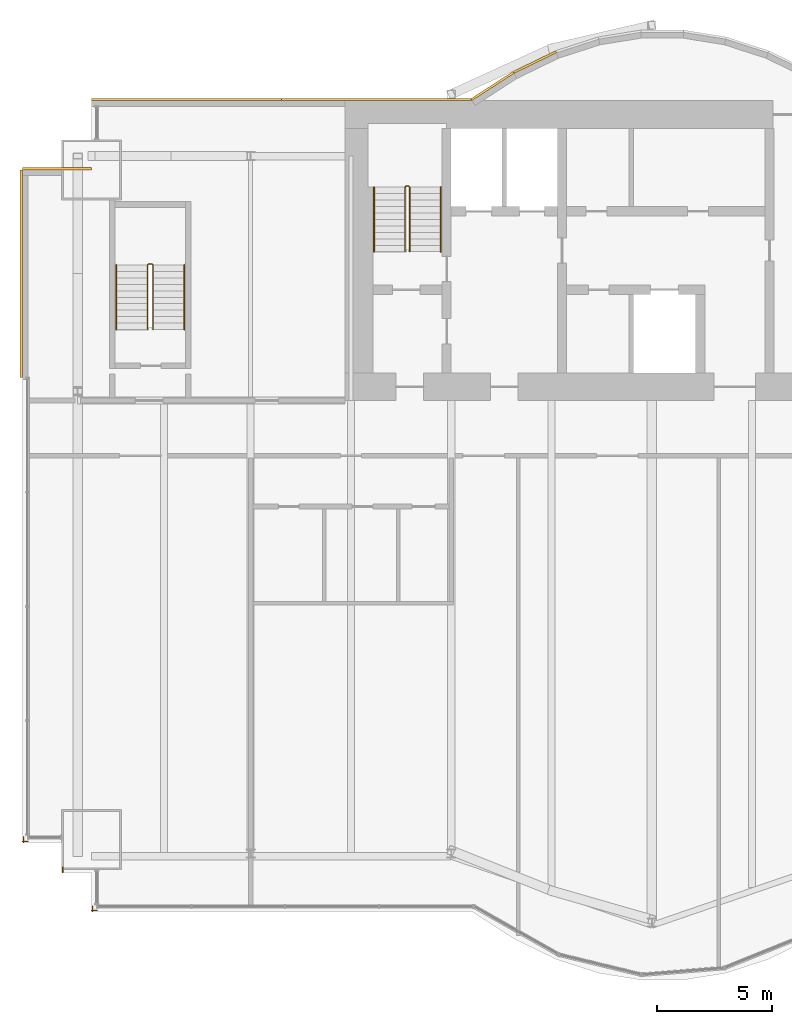
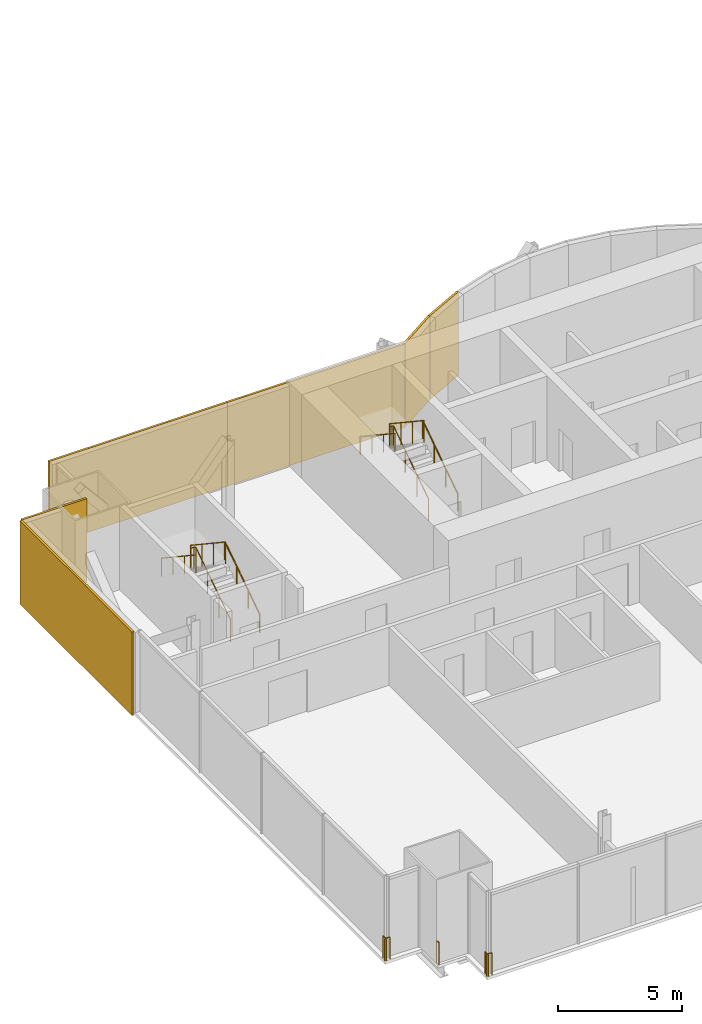
# One storey, part 19 of 21: 9 railings, 6 coverings.
"""IFC4 building model written with IfcOpenShell, lengths in metres."""

from ifc_helpers import new_model, si_unit, direction, frame, origin, origin_2d, place, context, subcontext, project, spatial, rectangle, circle, extrude, material, layer, layer_set, type_object, element, save


model = new_model("IFC4")

# Units and contexts
model_context = context("Model", 3, precision=1e-05, world=origin(), true_north=direction((0.0, 1.0)))
body_context = subcontext(model_context, "Body", "Model", "MODEL_VIEW")
ifc_project = project(units=[si_unit("LENGTHUNIT", "METRE"), si_unit("AREAUNIT", "SQUARE_METRE"), si_unit("VOLUMEUNIT", "CUBIC_METRE"), si_unit("PLANEANGLEUNIT", "RADIAN"), si_unit("MASSUNIT", "GRAM", prefix="KILO")], contexts=[model_context])

# Site, building, storey
site_placement = place(None, origin())
site = spatial("IfcSite", under=ifc_project, at=site_placement, CompositionType="ELEMENT")
building_placement = place(site_placement, origin())
building = spatial("IfcBuilding", under=site, at=building_placement, Name="Bicima Exchange Tower", CompositionType="ELEMENT")
storey_placement = place(building_placement, frame((0.0, 0.0, 156.800048828125)))
storey = spatial("IfcBuildingStorey", under=building, at=storey_placement, Name="L34", CompositionType="ELEMENT", Elevation=156.800048828125)

# Coverings
ifc_material_1 = material(Name="Bronze metal cladding")
ifc_layer_1 = layer(ifc_material_1, 0.004)
ifc_material_2 = material(Name="Ventilated cavity")
ifc_layer_2 = layer(ifc_material_2, 0.06)
ifc_material_3 = material(Name="Galvanised steel rail and mineral wool", Category="steel")
ifc_layer_3 = layer(ifc_material_3, 0.036)
ifc_layer_set = layer_set([ifc_layer_1, ifc_layer_2, ifc_layer_3], Name="Ventilated cavity")
covering_type = type_object("IfcCoveringType", Name="Bronze metal cladding panel 100", PredefinedType="CLADDING", material=ifc_layer_set)
covering_1_placement = place(storey_placement, frame((-13.771728515625, 1.674560546875, -0.150146484375), z_axis=(0.0, 0.0, 1.0), x_axis=(-0.899818346812, -0.436264762204, 0.0)))
element("IfcCovering", 1, at=covering_1_placement, inside=storey, type_object=covering_type, Name="Bronze cladding L34 18.1", PredefinedType="CLADDING", context=body_context, shape_type="SweptSolid", body=[
    extrude(rectangle(XDim=2.03759765625, YDim=0.10009765625, at=origin_2d()), origin(), (0.0, 0.0, 1.0), 4.10009765625),
])
covering_2_placement = place(storey_placement, frame((-15.610595703125, 0.634521484375, -0.150146484375), z_axis=(0.0, 0.0, 1.0), x_axis=(-0.839790466384, -0.542910648791, 0.0)))
element("IfcCovering", 2, at=covering_2_placement, inside=storey, type_object=covering_type, Name="Bronze cladding L34 19.1", PredefinedType="CLADDING", context=body_context, shape_type="SweptSolid", body=[
    extrude(rectangle(XDim=2.18310546875, YDim=0.10009765625, at=origin_2d()), origin(), (0.0, 0.0, 1.0), 4.10009765625),
])
for number, where, z_axis, x_axis, name in (
    (3, (-20.625, 0.050048828125, -0.150146484375), (0.0, 0.0, 1.0), (-1.0, 0.0, 0.0), "Bronze cladding L34 20.1"),
    (4, (-28.875, 0.050048828125, -0.150146484375), (0.0, 0.0, 1.0), (-1.0, 0.0, 0.0), "Bronze cladding L34 20.2"),
):
    element("IfcCovering", number, at=place(storey_placement, frame(where, z_axis=z_axis, x_axis=x_axis)), inside=storey, type_object=covering_type, Name=name, PredefinedType="CLADDING", context=body_context, shape_type="SweptSolid", body=[
        extrude(rectangle(XDim=8.25, YDim=0.10009765625, at=origin_2d()), origin(), (0.0, 0.0, 1.0), 4.10009765625),
    ])
covering_3_placement = place(storey_placement, frame((-34.5, -2.949951171875, -0.150146484375), z_axis=(0.0, 0.0, 1.0), x_axis=(-1.0, 0.0, 0.0)))
element("IfcCovering", 5, at=covering_3_placement, inside=storey, type_object=covering_type, Name="Bronze cladding L34 22.1", PredefinedType="CLADDING", context=body_context, shape_type="SweptSolid", body=[
    extrude(rectangle(XDim=3.0, YDim=0.10009765625, at=origin_2d()), origin(), (0.0, 0.0, 1.0), 4.10009765625),
])
covering_4_placement = place(storey_placement, frame((-36.050048828125, -7.5, -0.150146484375), z_axis=(0.0, 0.0, 1.0), x_axis=(0.0, -1.0, 0.0)))
element("IfcCovering", 6, at=covering_4_placement, inside=storey, type_object=covering_type, Name="Bronze cladding L34 23.1", PredefinedType="CLADDING", context=body_context, shape_type="SweptSolid", body=[
    extrude(rectangle(XDim=9.0, YDim=0.10009765625, at=origin_2d()), origin(), (0.0, 0.0, 1.0), 4.10009765625),
])

# Railings
ifc_material_4 = material(Name="Stainless steel and bonded safety glass", Category="steel")
railing_type_1 = type_object("IfcRailingType", Name="Edge guard 1100", PredefinedType="GUARDRAIL", material=ifc_material_4)
railing_1_placement = place(storey_placement, frame((-35.757080078125, -32.117919921875, 0.0)))
element("IfcRailing", 7, at=railing_1_placement, inside=storey, type_object=railing_type_1, Name="Edge guard L34 167", PredefinedType="GUARDRAIL", context=body_context, shape_type="SweptSolid", body=[
    extrude(circle(Radius=0.02392578125, at=origin_2d()), frame((0.0, 0.0, 1.076171875), z_axis=(-1.0, 0.0, 0.0), x_axis=(0.0, -1.0, 0.0)), (0.0, 0.0, 1.0), 0.242919921875),
    extrude(circle(Radius=0.02392578125, at=origin_2d()), frame((-0.242919921875, 0.0, 1.076171875), z_axis=(0.707106781187, -0.707106781187, 0.0), x_axis=(0.707106781187, 0.707106781187, 0.0)), (0.0, 0.0, 1.0), 0.07080078125),
    extrude(circle(Radius=0.02392578125, at=origin_2d()), frame((-0.19287109375, -0.050048828125, 1.076171875), z_axis=(0.0, 1.0, 0.0), x_axis=(-1.0, 0.0, 0.0)), (0.0, 0.0, 1.0), 0.2490234375),
    extrude(circle(Radius=0.02099609375, at=origin_2d()), origin(), (0.0, 0.0, 1.0), 1.052001953125),
    extrude(circle(Radius=0.02099609375, at=origin_2d()), frame((-0.242919921875, 0.0, 0.0)), (0.0, 0.0, 1.0), 1.052001953125),
    extrude(circle(Radius=0.02099609375, at=origin_2d()), frame((-0.19287109375, -0.050048828125, 0.0)), (0.0, 0.0, 1.0), 1.052001953125),
    extrude(circle(Radius=0.02099609375, at=origin_2d()), frame((-0.19287109375, 0.198974609375, 0.0)), (0.0, 0.0, 1.0), 1.052001953125),
])
railing_2_placement = place(storey_placement, frame((-32.75, -35.117919921875, 0.0)))
element("IfcRailing", 8, at=railing_2_placement, inside=storey, type_object=railing_type_1, Name="Edge guard L34 171", PredefinedType="GUARDRAIL", context=body_context, shape_type="SweptSolid", body=[
    extrude(circle(Radius=0.02392578125, at=origin_2d()), frame((0.0, 0.0, 1.076171875), z_axis=(-1.0, 0.0, 0.0), x_axis=(0.0, -1.0, 0.0)), (0.0, 0.0, 1.0), 0.25),
    extrude(circle(Radius=0.02392578125, at=origin_2d()), frame((-0.25, 0.0, 1.076171875), z_axis=(0.707106781187, -0.707106781187, 0.0), x_axis=(0.707106781187, 0.707106781187, 0.0)), (0.0, 0.0, 1.0), 0.07080078125),
    extrude(circle(Radius=0.02392578125, at=origin_2d()), frame((-0.199951171875, -0.050048828125, 1.076171875), z_axis=(0.0, 1.0, 0.0), x_axis=(-1.0, 0.0, 0.0)), (0.0, 0.0, 1.0), 0.242919921875),
    extrude(circle(Radius=0.02099609375, at=origin_2d()), origin(), (0.0, 0.0, 1.0), 1.052001953125),
    extrude(circle(Radius=0.02099609375, at=origin_2d()), frame((-0.25, 0.0, 0.0)), (0.0, 0.0, 1.0), 1.052001953125),
    extrude(circle(Radius=0.02099609375, at=origin_2d()), frame((-0.199951171875, -0.050048828125, 0.0)), (0.0, 0.0, 1.0), 1.052001953125),
    extrude(circle(Radius=0.02099609375, at=origin_2d()), frame((-0.199951171875, 0.19287109375, 0.0)), (0.0, 0.0, 1.0), 1.052001953125),
])
railing_3_placement = place(storey_placement, frame((-34.25, -33.468017578125, 0.0)))
element("IfcRailing", 9, at=railing_3_placement, inside=storey, type_object=railing_type_1, Name="Edge guard L34 172", PredefinedType="GUARDRAIL", context=body_context, shape_type="SweptSolid", body=[
    extrude(circle(Radius=0.02392578125, at=origin_2d()), frame((0.0, 0.0, 1.076171875), z_axis=(0.0, 1.0, 0.0), x_axis=(-1.0, 0.0, 0.0)), (0.0, 0.0, 1.0), 0.217041015625),
    extrude(circle(Radius=0.02099609375, at=origin_2d()), origin(), (0.0, 0.0, 1.0), 1.052001953125),
    extrude(circle(Radius=0.02099609375, at=origin_2d()), frame((0.0, 0.217041015625, 0.0)), (0.0, 0.0, 1.0), 1.052001953125),
])
ifc_material_5 = material(Name="Stainless steel", Category="steel")
railing_type_2 = type_object("IfcRailingType", Name="Stair guard 1100", PredefinedType="GUARDRAIL", material=ifc_material_5)
railing_4_placement = place(storey_placement, frame((-19.199951171875, -6.550048828125, 0.186279296875)))
element("IfcRailing", 10, at=railing_4_placement, inside=storey, type_object=railing_type_2, Name="L34 ST-W stair guard 1", PredefinedType="GUARDRAIL", context=body_context, shape_type="SweptSolid", body=[
    extrude(circle(Radius=0.02392578125, at=origin_2d()), frame((0.0, 0.0, 1.076171875), z_axis=(0.0, 0.832452072856, 0.554097055034), x_axis=(-1.0, 0.0, 0.0)), (0.0, 0.0, 1.0), 3.363525390625),
    extrude(circle(Radius=0.02392578125, at=origin_2d()), frame((0.0, 2.800048828125, 2.93994140625), z_axis=(-0.707106781187, 0.707106781187, 0.0), x_axis=(-0.707106781187, -0.707106781187, 0.0)), (0.0, 0.0, 1.0), 0.07080078125),
    extrude(circle(Radius=0.02392578125, at=origin_2d()), frame((-0.050048828125, 2.85009765625, 2.93994140625), z_axis=(-1.0, 0.0, 0.0), x_axis=(0.0, -1.0, 0.0)), (0.0, 0.0, 1.0), 0.10009765625),
    extrude(circle(Radius=0.02392578125, at=origin_2d()), frame((-0.150146484375, 2.85009765625, 2.93994140625), z_axis=(-0.250008635948, -0.251234168477, 0.935081319748), x_axis=(0.708833529934, -0.705375805398, 0.0)), (0.0, 0.0, 1.0), 0.19921875),
    extrude(circle(Radius=0.02392578125, at=origin_2d()), frame((-0.199951171875, 2.800048828125, 3.1259765625), z_axis=(0.0, -0.832485552168, 0.554046753832), x_axis=(1.0, 0.0, 0.0)), (0.0, 0.0, 1.0), 3.363525390625),
    extrude(circle(Radius=0.02099609375, at=origin_2d()), origin(), (0.0, 0.0, 1.0), 1.052001953125),
    extrude(circle(Radius=0.02099609375, at=origin_2d()), frame((0.0, 0.933349609375, 0.621337890625)), (0.0, 0.0, 1.0), 1.052001953125),
    extrude(circle(Radius=0.02099609375, at=origin_2d()), frame((0.0, 1.86669921875, 1.242431640625)), (0.0, 0.0, 1.0), 1.052001953125),
    extrude(circle(Radius=0.02099609375, at=origin_2d()), frame((0.0, 2.800048828125, 1.86376953125)), (0.0, 0.0, 1.0), 1.052001953125),
    extrude(circle(Radius=0.02099609375, at=origin_2d()), frame((-0.050048828125, 2.85009765625, 1.86376953125)), (0.0, 0.0, 1.0), 1.052001953125),
    extrude(circle(Radius=0.02099609375, at=origin_2d()), frame((-0.150146484375, 2.85009765625, 1.86376953125)), (0.0, 0.0, 1.0), 1.052001953125),
    extrude(circle(Radius=0.02099609375, at=origin_2d()), frame((-0.199951171875, 2.800048828125, 2.050048828125)), (0.0, 0.0, 1.0), 1.052001953125),
    extrude(circle(Radius=0.02099609375, at=origin_2d()), frame((-0.199951171875, 1.86669921875, 2.671142578125)), (0.0, 0.0, 1.0), 1.052001953125),
    extrude(circle(Radius=0.02099609375, at=origin_2d()), frame((-0.199951171875, 0.933349609375, 3.29248046875)), (0.0, 0.0, 1.0), 1.052001953125),
    extrude(circle(Radius=0.02099609375, at=origin_2d()), frame((-0.199951171875, 0.0, 3.91357421875)), (0.0, 0.0, 1.0), 1.052001953125),
])
railing_5_placement = place(storey_placement, frame((-30.324951171875, -9.925048828125, 0.186279296875)))
element("IfcRailing", 11, at=railing_5_placement, inside=storey, type_object=railing_type_2, Name="L34 ST-WW stair guard 1", PredefinedType="GUARDRAIL", context=body_context, shape_type="SweptSolid", body=[
    extrude(circle(Radius=0.02392578125, at=origin_2d()), frame((0.0, 0.0, 1.076171875), z_axis=(0.0, 0.832452072856, 0.554097055034), x_axis=(-1.0, 0.0, 0.0)), (0.0, 0.0, 1.0), 3.363525390625),
    extrude(circle(Radius=0.02392578125, at=origin_2d()), frame((0.0, 2.800048828125, 2.93994140625), z_axis=(-0.707106781187, 0.707106781187, 0.0), x_axis=(-0.707106781187, -0.707106781187, 0.0)), (0.0, 0.0, 1.0), 0.07080078125),
    extrude(circle(Radius=0.02392578125, at=origin_2d()), frame((-0.050048828125, 2.85009765625, 2.93994140625), z_axis=(-1.0, 0.0, 0.0), x_axis=(0.0, -1.0, 0.0)), (0.0, 0.0, 1.0), 0.14990234375),
    extrude(circle(Radius=0.02392578125, at=origin_2d()), frame((-0.199951171875, 2.85009765625, 2.93994140625), z_axis=(-0.251157038772, -0.251157038772, 0.934794246747), x_axis=(0.707106781187, -0.707106781187, 0.0)), (0.0, 0.0, 1.0), 0.19921875),
    extrude(circle(Radius=0.02392578125, at=origin_2d()), frame((-0.25, 2.800048828125, 3.1259765625), z_axis=(0.0, -0.832485552168, 0.554046753832), x_axis=(1.0, 0.0, 0.0)), (0.0, 0.0, 1.0), 3.363525390625),
    extrude(circle(Radius=0.02099609375, at=origin_2d()), origin(), (0.0, 0.0, 1.0), 1.052001953125),
    extrude(circle(Radius=0.02099609375, at=origin_2d()), frame((0.0, 0.933349609375, 0.621337890625)), (0.0, 0.0, 1.0), 1.052001953125),
    extrude(circle(Radius=0.02099609375, at=origin_2d()), frame((0.0, 1.86669921875, 1.242431640625)), (0.0, 0.0, 1.0), 1.052001953125),
    extrude(circle(Radius=0.02099609375, at=origin_2d()), frame((0.0, 2.800048828125, 1.86376953125)), (0.0, 0.0, 1.0), 1.052001953125),
    extrude(circle(Radius=0.02099609375, at=origin_2d()), frame((-0.050048828125, 2.85009765625, 1.86376953125)), (0.0, 0.0, 1.0), 1.052001953125),
    extrude(circle(Radius=0.02099609375, at=origin_2d()), frame((-0.199951171875, 2.85009765625, 1.86376953125)), (0.0, 0.0, 1.0), 1.052001953125),
    extrude(circle(Radius=0.02099609375, at=origin_2d()), frame((-0.25, 2.800048828125, 2.050048828125)), (0.0, 0.0, 1.0), 1.052001953125),
    extrude(circle(Radius=0.02099609375, at=origin_2d()), frame((-0.25, 1.86669921875, 2.671142578125)), (0.0, 0.0, 1.0), 1.052001953125),
    extrude(circle(Radius=0.02099609375, at=origin_2d()), frame((-0.25, 0.933349609375, 3.29248046875)), (0.0, 0.0, 1.0), 1.052001953125),
    extrude(circle(Radius=0.02099609375, at=origin_2d()), frame((-0.25, 0.0, 3.91357421875)), (0.0, 0.0, 1.0), 1.052001953125),
])
railing_type_3 = type_object("IfcRailingType", Name="Stair handrail 900", PredefinedType="HANDRAIL", material=ifc_material_5)
railing_6_placement = place(storey_placement, frame((-17.85009765625, -6.550048828125, 0.186279296875)))
element("IfcRailing", 12, at=railing_6_placement, inside=storey, type_object=railing_type_3, Name="L34 ST-W stair handrail 1", PredefinedType="HANDRAIL", context=body_context, shape_type="SweptSolid", body=[
    extrude(circle(Radius=0.02392578125, at=origin_2d()), frame((0.0, 0.0, 0.8759765625), z_axis=(0.0, 0.832452072856, 0.554097055034), x_axis=(-1.0, 0.0, 0.0)), (0.0, 0.0, 1.0), 3.363525390625),
    extrude(circle(Radius=0.02099609375, at=origin_2d()), origin(), (0.0, 0.0, 1.0), 0.851806640625),
    extrude(circle(Radius=0.02099609375, at=origin_2d()), frame((0.0, 0.933349609375, 0.621337890625)), (0.0, 0.0, 1.0), 0.851806640625),
    extrude(circle(Radius=0.02099609375, at=origin_2d()), frame((0.0, 1.86669921875, 1.242431640625)), (0.0, 0.0, 1.0), 0.851806640625),
    extrude(circle(Radius=0.02099609375, at=origin_2d()), frame((0.0, 2.800048828125, 1.86376953125)), (0.0, 0.0, 1.0), 0.851806640625),
])
railing_7_placement = place(storey_placement, frame((-20.75, -3.75, 2.276611328125)))
element("IfcRailing", 13, at=railing_7_placement, inside=storey, type_object=railing_type_3, Name="L34 ST-W stair handrail 2", PredefinedType="HANDRAIL", context=body_context, shape_type="SweptSolid", body=[
    extrude(circle(Radius=0.02392578125, at=origin_2d()), frame((0.0, 0.0, 0.8759765625), z_axis=(0.0, -0.832452072856, 0.554097055034), x_axis=(1.0, 0.0, 0.0)), (0.0, 0.0, 1.0), 3.363525390625),
    extrude(circle(Radius=0.02099609375, at=origin_2d()), origin(), (0.0, 0.0, 1.0), 0.851806640625),
    extrude(circle(Radius=0.02099609375, at=origin_2d()), frame((0.0, -0.933349609375, 0.621337890625)), (0.0, 0.0, 1.0), 0.851806640625),
    extrude(circle(Radius=0.02099609375, at=origin_2d()), frame((0.0, -1.86669921875, 1.242431640625)), (0.0, 0.0, 1.0), 0.851806640625),
    extrude(circle(Radius=0.02099609375, at=origin_2d()), frame((0.0, -2.800048828125, 1.86376953125)), (0.0, 0.0, 1.0), 0.851806640625),
])
railing_8_placement = place(storey_placement, frame((-28.97509765625, -9.925048828125, 0.186279296875)))
element("IfcRailing", 14, at=railing_8_placement, inside=storey, type_object=railing_type_3, Name="L34 ST-WW stair handrail 1", PredefinedType="HANDRAIL", context=body_context, shape_type="SweptSolid", body=[
    extrude(circle(Radius=0.02392578125, at=origin_2d()), frame((0.0, 0.0, 0.8759765625), z_axis=(0.0, 0.832452072856, 0.554097055034), x_axis=(-1.0, 0.0, 0.0)), (0.0, 0.0, 1.0), 3.363525390625),
    extrude(circle(Radius=0.02099609375, at=origin_2d()), origin(), (0.0, 0.0, 1.0), 0.851806640625),
    extrude(circle(Radius=0.02099609375, at=origin_2d()), frame((0.0, 0.933349609375, 0.621337890625)), (0.0, 0.0, 1.0), 0.851806640625),
    extrude(circle(Radius=0.02099609375, at=origin_2d()), frame((0.0, 1.86669921875, 1.242431640625)), (0.0, 0.0, 1.0), 0.851806640625),
    extrude(circle(Radius=0.02099609375, at=origin_2d()), frame((0.0, 2.800048828125, 1.86376953125)), (0.0, 0.0, 1.0), 0.851806640625),
])
railing_9_placement = place(storey_placement, frame((-31.925048828125, -7.125, 2.276611328125)))
element("IfcRailing", 15, at=railing_9_placement, inside=storey, type_object=railing_type_3, Name="L34 ST-WW stair handrail 2", PredefinedType="HANDRAIL", context=body_context, shape_type="SweptSolid", body=[
    extrude(circle(Radius=0.02392578125, at=origin_2d()), frame((0.0, 0.0, 0.8759765625), z_axis=(0.0, -0.832452072856, 0.554097055034), x_axis=(1.0, 0.0, 0.0)), (0.0, 0.0, 1.0), 3.363525390625),
    extrude(circle(Radius=0.02099609375, at=origin_2d()), origin(), (0.0, 0.0, 1.0), 0.851806640625),
    extrude(circle(Radius=0.02099609375, at=origin_2d()), frame((0.0, -0.933349609375, 0.621337890625)), (0.0, 0.0, 1.0), 0.851806640625),
    extrude(circle(Radius=0.02099609375, at=origin_2d()), frame((0.0, -1.86669921875, 1.242431640625)), (0.0, 0.0, 1.0), 0.851806640625),
    extrude(circle(Radius=0.02099609375, at=origin_2d()), frame((0.0, -2.800048828125, 1.86376953125)), (0.0, 0.0, 1.0), 0.851806640625),
])

save(model, "model.ifc")
